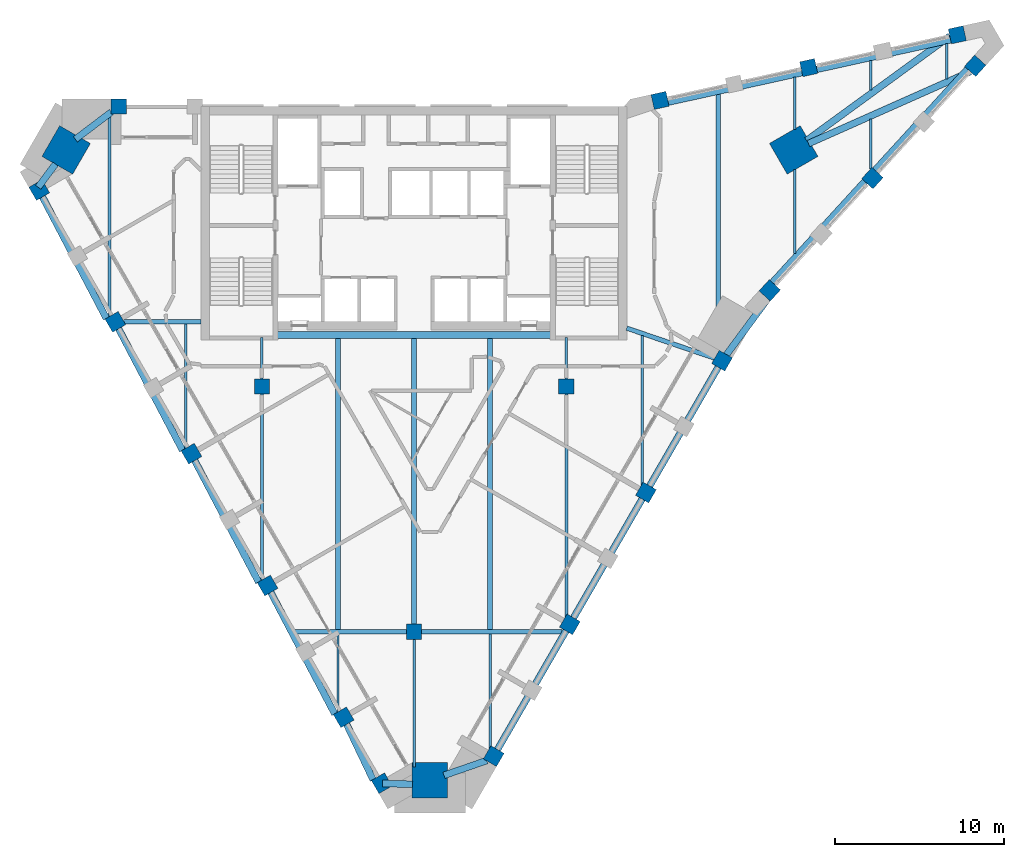
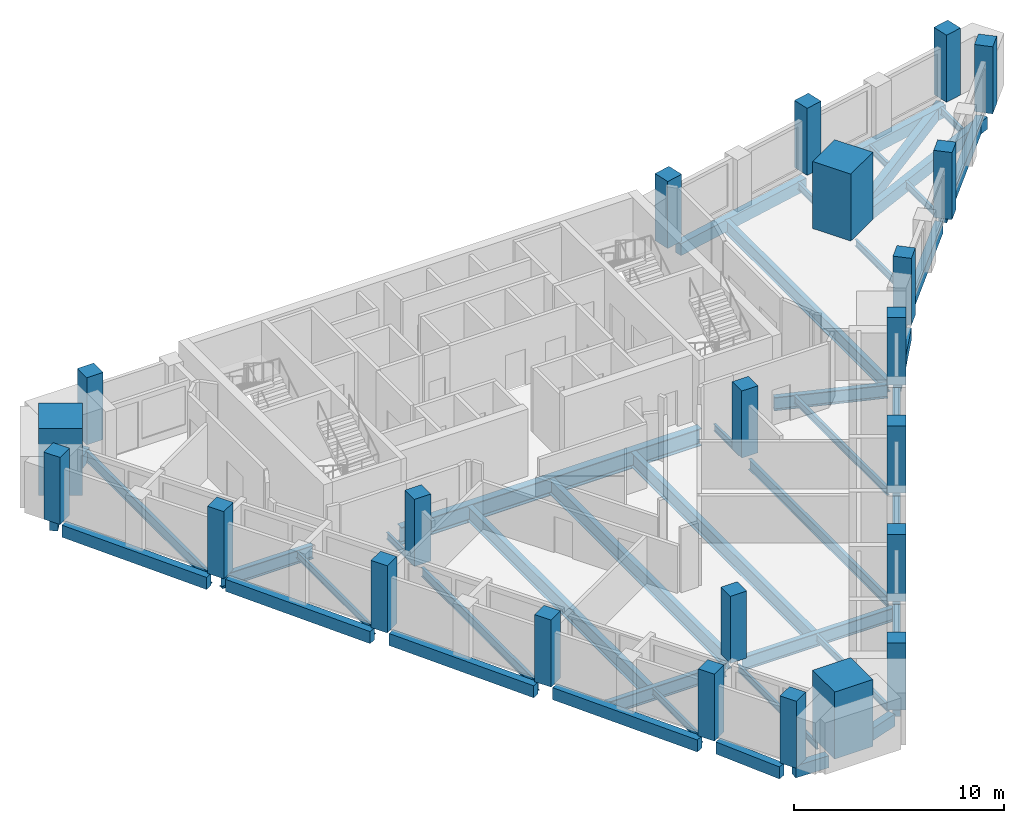
# One storey, part 1 of 9: 43 beams, 23 columns.
"""IFC4 building model written with IfcOpenShell, lengths in metres."""

from ifc_helpers import new_model, si_unit, direction, frame, origin, origin_2d, place, context, subcontext, project, spatial, rectangle, i_section, extrude, material, material_profile, profile_set, type_object, element, save


model = new_model("IFC4")

# Units and contexts
model_context = context("Model", 3, precision=1e-05, world=origin(), true_north=direction((0.0, 1.0)))
body_context = subcontext(model_context, "Body", "Model", "MODEL_VIEW")
ifc_project = project(units=[si_unit("LENGTHUNIT", "METRE"), si_unit("AREAUNIT", "SQUARE_METRE"), si_unit("VOLUMEUNIT", "CUBIC_METRE"), si_unit("PLANEANGLEUNIT", "RADIAN"), si_unit("MASSUNIT", "GRAM", prefix="KILO")], contexts=[model_context])

# Site, building, storey
site_placement = place(None, origin())
site = spatial("IfcSite", under=ifc_project, at=site_placement, CompositionType="ELEMENT")
building_placement = place(site_placement, origin())
building = spatial("IfcBuilding", under=site, at=building_placement, Name="Calabash Gate Tower", CompositionType="ELEMENT")
storey_placement = place(building_placement, frame((0.0, 0.0, 287.199951171875)))
storey = spatial("IfcBuildingStorey", under=building, at=storey_placement, Name="L69", CompositionType="ELEMENT", Elevation=287.199951171875)

# Columns
ifc_material_1 = material(Name="Concrete C60/75", Category="concrete")
ifc_material_profile_1 = material_profile(ifc_material_1, rectangle(XDim=0.89990234375, YDim=0.89990234375, at=origin_2d()))
ifc_profile_set_1 = profile_set([ifc_material_profile_1], Name="Concrete C60/75")
column_type_1 = type_object("IfcColumnType", Name="Interior column RC 900x900 Concrete C60/75", PredefinedType="COLUMN", material=ifc_profile_set_1)
for number, where, z_axis, x_axis, name in (
    (1, (-9.0, 2.5, 0.0), (0.0, 0.0, 1.0), (1.0, 0.0, 0.0), "Interior column L69 I0"),
    (2, (9.0, 2.5, 0.0), (0.0, 0.0, 1.0), (1.0, 0.0, 0.0), "Interior column L69 I1"),
    (3, (0.0, -12.0, 0.0), (0.0, 0.0, 1.0), (1.0, 0.0, 0.0), "Interior column L69 I2"),
):
    element("IfcColumn", number, at=place(storey_placement, frame(where, z_axis=z_axis, x_axis=x_axis)), inside=storey, type_object=column_type_1, Name=name, PredefinedType="COLUMN", context=body_context, shape_type="SweptSolid", body=[
        extrude(rectangle(XDim=0.89990234375, YDim=0.89990234375, at=origin_2d()), origin(), (0.0, 0.0, 1.0), 3.900146484375),
    ])
ifc_material_2 = material(Name="Concrete C60/75", Category="concrete")
ifc_material_profile_2 = material_profile(ifc_material_2, rectangle(XDim=2.10009765625, YDim=2.10009765625, at=origin_2d()))
ifc_profile_set_2 = profile_set([ifc_material_profile_2], Name="Concrete C60/75")
column_type_2 = type_object("IfcColumnType", Name="Mega column RC 2100x2100 Concrete C60/75", PredefinedType="COLUMN", material=ifc_profile_set_2)
for number, where, z_axis, x_axis, name in (
    (4, (-20.572998046875, 16.491943359375, 0.0), (0.0, 0.0, 1.0), (0.866025395058, -0.500000015115, 0.0), "Mega column L69 NW"),
    (5, (22.447021484375, 16.491943359375, 0.0), (0.0, 0.0, 1.0), (-0.866025395058, -0.500000015115, 0.0), "Mega column L69 NE"),
    (6, (0.93603515625, -20.76611328125, 0.0), (0.0, 0.0, 1.0), (0.0, 1.0, 0.0), "Mega column L69 S"),
):
    element("IfcColumn", number, at=place(storey_placement, frame(where, z_axis=z_axis, x_axis=x_axis)), inside=storey, type_object=column_type_2, Name=name, PredefinedType="COLUMN", context=body_context, shape_type="SweptSolid", body=[
        extrude(rectangle(XDim=2.10009765625, YDim=2.10009765625, at=origin_2d()), origin(), (0.0, 0.0, 1.0), 3.900146484375),
    ])
ifc_material_3 = material(Name="Concrete C50/60", Category="concrete")
ifc_material_profile_3 = material_profile(ifc_material_3, rectangle(XDim=0.89990234375, YDim=0.89990234375, at=origin_2d()))
ifc_profile_set_3 = profile_set([ifc_material_profile_3], Name="Concrete C50/60")
column_type_3 = type_object("IfcColumnType", Name="Perimeter column RC 900x900 Concrete C50/60", PredefinedType="COLUMN", material=ifc_profile_set_3)
for number, where, z_axis, x_axis, name in (
    (7, (-22.162109375, 14.1201171875, 0.0), (0.0, 0.0, 1.0), (0.500000015115, -0.866025395058, 0.0), "Perimeter column L69 P20"),
    (8, (-17.662109375, 6.325927734375, 0.0), (0.0, 0.0, 1.0), (0.500000015115, -0.866025395058, 0.0), "Perimeter column L69 P00"),
    (9, (-13.162109375, -1.468017578125, 0.0), (0.0, 0.0, 1.0), (0.500000015115, -0.866025395058, 0.0), "Perimeter column L69 P01"),
    (10, (-8.662109375, -9.262939453125, 0.0), (0.0, 0.0, 1.0), (0.500000015115, -0.866025395058, 0.0), "Perimeter column L69 P02"),
    (11, (-4.162109375, -17.056884765625, 0.0), (0.0, 0.0, 1.0), (0.500000015115, -0.866025395058, 0.0), "Perimeter column L69 P03"),
    (12, (-1.912109375, -20.9541015625, 0.0), (0.0, 0.0, 1.0), (0.500000015115, -0.866025395058, 0.0), "Perimeter column L69 P25"),
    (13, (4.7080078125, -19.35302734375, 0.0), (0.0, 0.0, 1.0), (0.499999984885, 0.866025412511, 0.0), "Perimeter column L69 P08"),
    (14, (9.2080078125, -11.55908203125, 0.0), (0.0, 0.0, 1.0), (0.499999984885, 0.866025412511, 0.0), "Perimeter column L69 P09"),
    (15, (13.7080078125, -3.762939453125, 0.0), (0.0, 0.0, 1.0), (0.499999984885, 0.866025412511, 0.0), "Perimeter column L69 P10"),
    (16, (18.2080078125, 4.030029296875, 0.0), (0.0, 0.0, 1.0), (0.499999984885, 0.866025412511, 0.0), "Perimeter column L69 P11"),
    (17, (21.031005859375, 8.18701171875, 0.0), (0.0, 0.0, 1.0), (0.67485604152, 0.737949404244, 0.0), "Perimeter column L69 P12"),
    (18, (27.10400390625, 14.825927734375, 0.0), (0.0, 0.0, 1.0), (0.67485604152, 0.737949404244, 0.0), "Perimeter column L69 P36"),
    (19, (33.177978515625, 21.468017578125, 0.0), (0.0, 0.0, 1.0), (0.67485604152, 0.737949404244, 0.0), "Perimeter column L69 P37"),
    (20, (32.12109375, 23.298095703125, 0.0), (0.0, 0.0, 1.0), (-0.976510951543, -0.215467773731, 0.0), "Perimeter column L69 P38"),
    (21, (23.3330078125, 21.35888671875, 0.0), (0.0, 0.0, 1.0), (-0.976510951543, -0.215467773731, 0.0), "Perimeter column L69 P39"),
    (22, (14.5439453125, 19.4189453125, 0.0), (0.0, 0.0, 1.0), (-0.976510951543, -0.215467773731, 0.0), "Perimeter column L69 P40"),
    (23, (-17.466064453125, 19.052978515625, 0.0), (0.0, 0.0, 1.0), (-1.0, 0.0, 0.0), "Perimeter column L69 P31"),
):
    element("IfcColumn", number, at=place(storey_placement, frame(where, z_axis=z_axis, x_axis=x_axis)), inside=storey, type_object=column_type_3, Name=name, PredefinedType="COLUMN", context=body_context, shape_type="SweptSolid", body=[
        extrude(rectangle(XDim=0.89990234375, YDim=0.89990234375, at=origin_2d()), origin(), (0.0, 0.0, 1.0), 3.900146484375),
    ])

# Beams
ifc_material_4 = material(Name="Concrete C50/60", Category="concrete")
ifc_material_profile_4 = material_profile(ifc_material_4, rectangle(XDim=0.39990234375, YDim=0.699951171875, at=origin_2d()))
ifc_profile_set_4 = profile_set([ifc_material_profile_4], Name="Concrete C50/60")
beam_type_1 = type_object("IfcBeamType", Name="Edge beam RC 400x700 Concrete C50/60", PredefinedType="BEAM", material=ifc_profile_set_4)
beam_1_placement = place(storey_placement, frame((-12.97998046875, -1.85693359375, -0.52001953125), z_axis=(0.465462476969, -0.885067614668, 0.0), x_axis=(0.885067614668, 0.465462476969, 0.0)))
element("IfcBeam", 24, at=beam_1_placement, inside=storey, type_object=beam_type_1, Name="Edge beam L69 1", PredefinedType="BEAM", context=body_context, shape_type="SweptSolid", body=[
    extrude(rectangle(XDim=0.39990234375, YDim=0.699951171875, at=origin_2d()), origin(), (0.0, 0.0, 1.0), 8.15087890625),
])
beam_2_placement = place(storey_placement, frame((-8.47998046875, -9.652099609375, -0.52001953125), z_axis=(0.465622937093, -0.884983209136, 0.0), x_axis=(0.884983209136, 0.465622937093, 0.0)))
element("IfcBeam", 25, at=beam_2_placement, inside=storey, type_object=beam_type_1, Name="Edge beam L69 2", PredefinedType="BEAM", context=body_context, shape_type="SweptSolid", body=[
    extrude(rectangle(XDim=0.39990234375, YDim=0.699951171875, at=origin_2d()), origin(), (0.0, 0.0, 1.0), 8.148193359375),
])
beam_3_placement = place(storey_placement, frame((-3.9990234375, -17.443115234375, -0.52001953125), z_axis=(0.430191259431, -0.902737769404, 0.0), x_axis=(0.902737769404, 0.430191259431, 0.0)))
element("IfcBeam", 26, at=beam_3_placement, inside=storey, type_object=beam_type_1, Name="Edge beam L69 3", PredefinedType="BEAM", context=body_context, shape_type="SweptSolid", body=[
    extrude(rectangle(XDim=0.39990234375, YDim=0.699951171875, at=origin_2d()), origin(), (0.0, 0.0, 1.0), 3.677490234375),
])
beam_4_placement = place(storey_placement, frame((-1.868896484375, -20.966064453125, -0.52001953125), z_axis=(0.999576333146, -0.029105913733, 0.0), x_axis=(0.029105913733, 0.999576333146, 0.0)))
element("IfcBeam", 27, at=beam_4_placement, inside=storey, type_object=beam_type_1, Name="Edge beam L69 4", PredefinedType="BEAM", context=body_context, shape_type="SweptSolid", body=[
    extrude(rectangle(XDim=0.39990234375, YDim=0.699951171875, at=origin_2d()), origin(), (0.0, 0.0, 1.0), 1.78662109375),
])
beam_5_placement = place(storey_placement, frame((1.76708984375, -20.489013671875, -0.52001953125), z_axis=(0.944963304699, 0.327176332844, 0.0), x_axis=(-0.327176332844, 0.944963304699, 0.0)))
element("IfcBeam", 28, at=beam_5_placement, inside=storey, type_object=beam_type_1, Name="Edge beam L69 5", PredefinedType="BEAM", context=body_context, shape_type="SweptSolid", body=[
    extrude(rectangle(XDim=0.39990234375, YDim=0.699951171875, at=origin_2d()), origin(), (0.0, 0.0, 1.0), 2.677490234375),
])
beam_6_placement = place(storey_placement, frame((4.8369140625, -19.1298828125, -0.52001953125), z_axis=(0.500024390412, 0.866011321516, 0.0), x_axis=(-0.866011321516, 0.500024390412, 0.0)))
element("IfcBeam", 29, at=beam_6_placement, inside=storey, type_object=beam_type_1, Name="Edge beam L69 6", PredefinedType="BEAM", context=body_context, shape_type="SweptSolid", body=[
    extrude(rectangle(XDim=0.39990234375, YDim=0.699951171875, at=origin_2d()), origin(), (0.0, 0.0, 1.0), 8.3056640625),
])
beam_7_placement = place(storey_placement, frame((9.3369140625, -11.3359375, -0.52001953125), z_axis=(0.499973480863, 0.866040714074, 0.0), x_axis=(-0.866040714074, 0.499973480863, 0.0)))
element("IfcBeam", 30, at=beam_7_placement, inside=storey, type_object=beam_type_1, Name="Edge beam L69 7", PredefinedType="BEAM", context=body_context, shape_type="SweptSolid", body=[
    extrude(rectangle(XDim=0.39990234375, YDim=0.699951171875, at=origin_2d()), origin(), (0.0, 0.0, 1.0), 8.306640625),
])
beam_8_placement = place(storey_placement, frame((13.8369140625, -3.541015625, -0.52001953125), z_axis=(0.500011662214, 0.866018670497, 0.0), x_axis=(-0.866018670497, 0.500011662214, 0.0)))
element("IfcBeam", 31, at=beam_8_placement, inside=storey, type_object=beam_type_1, Name="Edge beam L69 8", PredefinedType="BEAM", context=body_context, shape_type="SweptSolid", body=[
    extrude(rectangle(XDim=0.39990234375, YDim=0.699951171875, at=origin_2d()), origin(), (0.0, 0.0, 1.0), 8.305908203125),
])
beam_9_placement = place(storey_placement, frame((18.364013671875, 4.239013671875, -0.52001953125), z_axis=(0.594201802394, 0.804315993893, 0.0), x_axis=(-0.804315993893, 0.594201802394, 0.0)))
element("IfcBeam", 32, at=beam_9_placement, inside=storey, type_object=beam_type_1, Name="Edge beam L69 9", PredefinedType="BEAM", context=body_context, shape_type="SweptSolid", body=[
    extrude(rectangle(XDim=0.39990234375, YDim=0.699951171875, at=origin_2d()), origin(), (0.0, 0.0, 1.0), 4.316650390625),
])
beam_10_placement = place(storey_placement, frame((21.18701171875, 8.652099609375, -0.52001953125), z_axis=(0.674873802315, 0.737933161573, 0.0), x_axis=(-0.737933161573, 0.674873802315, 0.0)))
element("IfcBeam", 33, at=beam_10_placement, inside=storey, type_object=beam_type_1, Name="Edge beam L69 10", PredefinedType="BEAM", context=body_context, shape_type="SweptSolid", body=[
    extrude(rectangle(XDim=0.39990234375, YDim=0.699951171875, at=origin_2d()), origin(), (0.0, 0.0, 1.0), 8.099365234375),
])
beam_11_placement = place(storey_placement, frame((27.260009765625, 15.29296875, -0.52001953125), z_axis=(0.67486440312, 0.737941757459, 0.0), x_axis=(-0.737941757459, 0.67486440312, 0.0)))
element("IfcBeam", 34, at=beam_11_placement, inside=storey, type_object=beam_type_1, Name="Edge beam L69 11", PredefinedType="BEAM", context=body_context, shape_type="SweptSolid", body=[
    extrude(rectangle(XDim=0.39990234375, YDim=0.699951171875, at=origin_2d()), origin(), (0.0, 0.0, 1.0), 8.100830078125),
])
beam_12_placement = place(storey_placement, frame((32.90087890625, 21.1259765625, -0.52001953125), z_axis=(-0.913795229391, -0.406175182332, 0.0), x_axis=(0.406175182332, -0.913795229391, 0.0)))
element("IfcBeam", 35, at=beam_12_placement, inside=storey, type_object=beam_type_1, Name="Edge beam L69 12", PredefinedType="BEAM", context=body_context, shape_type="SweptSolid", body=[
    extrude(rectangle(XDim=0.39990234375, YDim=0.699951171875, at=origin_2d()), origin(), (0.0, 0.0, 1.0), 10.488037109375),
])
beam_13_placement = place(storey_placement, frame((23.2099609375, 17.049072265625, -0.52001953125), z_axis=(0.808064306111, 0.589094285484, 0.0), x_axis=(-0.589094285484, 0.808064306111, 0.0)))
element("IfcBeam", 36, at=beam_13_placement, inside=storey, type_object=beam_type_1, Name="Edge beam L69 13", PredefinedType="BEAM", context=body_context, shape_type="SweptSolid", body=[
    extrude(rectangle(XDim=0.39990234375, YDim=0.699951171875, at=origin_2d()), origin(), (0.0, 0.0, 1.0), 10.490478515625),
])
beam_14_placement = place(storey_placement, frame((31.72705078125, 23.006103515625, -0.52001953125), z_axis=(-0.976492437334, -0.215551663945, 0.0), x_axis=(0.215551663945, -0.976492437334, 0.0)))
element("IfcBeam", 37, at=beam_14_placement, inside=storey, type_object=beam_type_1, Name="Edge beam L69 14", PredefinedType="BEAM", context=body_context, shape_type="SweptSolid", body=[
    extrude(rectangle(XDim=0.39990234375, YDim=0.699951171875, at=origin_2d()), origin(), (0.0, 0.0, 1.0), 8.1005859375),
])
beam_15_placement = place(storey_placement, frame((22.93603515625, 21.06591796875, -0.52001953125), z_axis=(-0.976517152373, -0.215439669332, 0.0), x_axis=(0.215439669332, -0.976517152373, 0.0)))
element("IfcBeam", 38, at=beam_15_placement, inside=storey, type_object=beam_type_1, Name="Edge beam L69 15", PredefinedType="BEAM", context=body_context, shape_type="SweptSolid", body=[
    extrude(rectangle(XDim=0.39990234375, YDim=0.699951171875, at=origin_2d()), origin(), (0.0, 0.0, 1.0), 8.09912109375),
])
beam_16_placement = place(storey_placement, frame((-17.89208984375, 18.737060546875, -0.52001953125), z_axis=(-0.797179894288, -0.603741845611, 0.0), x_axis=(0.603741845611, -0.797179894288, 0.0)))
element("IfcBeam", 39, at=beam_16_placement, inside=storey, type_object=beam_type_1, Name="Edge beam L69 16", PredefinedType="BEAM", context=body_context, shape_type="SweptSolid", body=[
    extrude(rectangle(XDim=0.39990234375, YDim=0.699951171875, at=origin_2d()), origin(), (0.0, 0.0, 1.0), 2.67822265625),
])
beam_17_placement = place(storey_placement, frame((-21.202880859375, 15.6630859375, -0.52001953125), z_axis=(-0.59582917679, -0.803111195344, 0.0), x_axis=(0.803111195344, -0.59582917679, 0.0)))
element("IfcBeam", 40, at=beam_17_placement, inside=storey, type_object=beam_type_1, Name="Edge beam L69 17", PredefinedType="BEAM", context=body_context, shape_type="SweptSolid", body=[
    extrude(rectangle(XDim=0.39990234375, YDim=0.699951171875, at=origin_2d()), origin(), (0.0, 0.0, 1.0), 1.71728515625),
])
beam_18_placement = place(storey_placement, frame((-21.97998046875, 13.73095703125, -0.52001953125), z_axis=(0.465474816672, -0.885061125033, 0.0), x_axis=(0.885061125033, 0.465474816672, 0.0)))
element("IfcBeam", 41, at=beam_18_placement, inside=storey, type_object=beam_type_1, Name="Edge beam L69 18", PredefinedType="BEAM", context=body_context, shape_type="SweptSolid", body=[
    extrude(rectangle(XDim=0.39990234375, YDim=0.699951171875, at=origin_2d()), origin(), (0.0, 0.0, 1.0), 8.150634765625),
])
beam_19_placement = place(storey_placement, frame((-17.47998046875, 5.93701171875, -0.52001953125), z_axis=(0.465462476969, -0.885067614668, 0.0), x_axis=(0.885067614668, 0.465462476969, 0.0)))
element("IfcBeam", 42, at=beam_19_placement, inside=storey, type_object=beam_type_1, Name="Edge beam L69 19", PredefinedType="BEAM", context=body_context, shape_type="SweptSolid", body=[
    extrude(rectangle(XDim=0.39990234375, YDim=0.699951171875, at=origin_2d()), origin(), (0.0, 0.0, 1.0), 8.15087890625),
])
ifc_material_5 = material(Name="Steel ASTM A992 Gr50", Category="steel")
ifc_material_profile_5 = material_profile(ifc_material_5, i_section(OverallWidth=0.1396484375, OverallDepth=0.398681640625, WebThickness=0.00634765625, FlangeThickness=0.0087890625, FilletRadius=0.01025390625, at=origin_2d()))
ifc_profile_set_5 = profile_set([ifc_material_profile_5], Name="Steel ASTM A992 Gr50")
beam_type_2 = type_object("IfcBeamType", Name="Floor beam W16x26 ASTM A992 Gr50", PredefinedType="BEAM", material=ifc_profile_set_5)
beam_20_placement = place(storey_placement, frame((-13.5, -1.173095703125, -0.368896484375), z_axis=(0.0, 1.0, 0.0), x_axis=(-1.0, 0.0, 0.0)))
element("IfcBeam", 43, at=beam_20_placement, inside=storey, type_object=beam_type_2, Name="Floor beam L69 2", PredefinedType="BEAM", context=body_context, shape_type="SweptSolid", body=[
    extrude(i_section(OverallWidth=0.1396484375, OverallDepth=0.398681640625, WebThickness=0.00634765625, FlangeThickness=0.0087890625, FilletRadius=0.01025390625, at=origin_2d()), origin(), (0.0, 0.0, 1.0), 7.364990234375),
])
beam_21_placement = place(storey_placement, frame((-9.0, 2.949951171875, -0.368896484375), z_axis=(0.0, 1.0, 0.0), x_axis=(-1.0, 0.0, 0.0)))
element("IfcBeam", 44, at=beam_21_placement, inside=storey, type_object=beam_type_2, Name="Floor beam L69 4", PredefinedType="BEAM", context=body_context, shape_type="SweptSolid", body=[
    extrude(i_section(OverallWidth=0.1396484375, OverallDepth=0.398681640625, WebThickness=0.00634765625, FlangeThickness=0.0087890625, FilletRadius=0.01025390625, at=origin_2d()), origin(), (0.0, 0.0, 1.0), 2.453125),
])
beam_22_placement = place(storey_placement, frame((-4.5, -16.762939453125, -0.368896484375), z_axis=(0.0, 1.0, 0.0), x_axis=(-1.0, 0.0, 0.0)))
element("IfcBeam", 45, at=beam_22_placement, inside=storey, type_object=beam_type_2, Name="Floor beam L69 5", PredefinedType="BEAM", context=body_context, shape_type="SweptSolid", body=[
    extrude(i_section(OverallWidth=0.1396484375, OverallDepth=0.398681640625, WebThickness=0.00634765625, FlangeThickness=0.0087890625, FilletRadius=0.01025390625, at=origin_2d()), origin(), (0.0, 0.0, 1.0), 4.6298828125),
])
beam_23_placement = place(storey_placement, frame((0.0, -20.008056640625, -0.368896484375), z_axis=(0.0, 1.0, 0.0), x_axis=(-1.0, 0.0, 0.0)))
element("IfcBeam", 46, at=beam_23_placement, inside=storey, type_object=beam_type_2, Name="Floor beam L69 7", PredefinedType="BEAM", context=body_context, shape_type="SweptSolid", body=[
    extrude(i_section(OverallWidth=0.1396484375, OverallDepth=0.398681640625, WebThickness=0.00634765625, FlangeThickness=0.0087890625, FilletRadius=0.01025390625, at=origin_2d()), origin(), (0.0, 0.0, 1.0), 7.55810546875),
])
beam_24_placement = place(storey_placement, frame((4.5, -18.93310546875, -0.368896484375), z_axis=(0.0, 1.0, 0.0), x_axis=(-1.0, 0.0, 0.0)))
element("IfcBeam", 47, at=beam_24_placement, inside=storey, type_object=beam_type_2, Name="Floor beam L69 9", PredefinedType="BEAM", context=body_context, shape_type="SweptSolid", body=[
    extrude(i_section(OverallWidth=0.1396484375, OverallDepth=0.398681640625, WebThickness=0.00634765625, FlangeThickness=0.0087890625, FilletRadius=0.01025390625, at=origin_2d()), origin(), (0.0, 0.0, 1.0), 6.800048828125),
])
beam_25_placement = place(storey_placement, frame((9.0, 2.949951171875, -0.368896484375), z_axis=(0.0, 1.0, 0.0), x_axis=(-1.0, 0.0, 0.0)))
element("IfcBeam", 48, at=beam_25_placement, inside=storey, type_object=beam_type_2, Name="Floor beam L69 12", PredefinedType="BEAM", context=body_context, shape_type="SweptSolid", body=[
    extrude(i_section(OverallWidth=0.1396484375, OverallDepth=0.398681640625, WebThickness=0.00634765625, FlangeThickness=0.0087890625, FilletRadius=0.01025390625, at=origin_2d()), origin(), (0.0, 0.0, 1.0), 2.453125),
])
beam_26_placement = place(storey_placement, frame((22.5, 10.3720703125, -0.368896484375), z_axis=(0.0, 1.0, 0.0), x_axis=(-1.0, 0.0, 0.0)))
element("IfcBeam", 49, at=beam_26_placement, inside=storey, type_object=beam_type_2, Name="Floor beam L69 15", PredefinedType="BEAM", context=body_context, shape_type="SweptSolid", body=[
    extrude(i_section(OverallWidth=0.1396484375, OverallDepth=0.398681640625, WebThickness=0.00634765625, FlangeThickness=0.0087890625, FilletRadius=0.01025390625, at=origin_2d()), origin(), (0.0, 0.0, 1.0), 4.9619140625),
])
beam_27_placement = place(storey_placement, frame((22.5, 17.7119140625, -0.368896484375), z_axis=(0.0, 1.0, 0.0), x_axis=(-1.0, 0.0, 0.0)))
element("IfcBeam", 50, at=beam_27_placement, inside=storey, type_object=beam_type_2, Name="Floor beam L69 16", PredefinedType="BEAM", context=body_context, shape_type="SweptSolid", body=[
    extrude(i_section(OverallWidth=0.1396484375, OverallDepth=0.398681640625, WebThickness=0.00634765625, FlangeThickness=0.0087890625, FilletRadius=0.01025390625, at=origin_2d()), origin(), (0.0, 0.0, 1.0), 3.085205078125),
])
beam_28_placement = place(storey_placement, frame((27.0, 15.35693359375, -0.368896484375), z_axis=(0.0, 1.0, 0.0), x_axis=(-1.0, 0.0, 0.0)))
element("IfcBeam", 51, at=beam_28_placement, inside=storey, type_object=beam_type_2, Name="Floor beam L69 17", PredefinedType="BEAM", context=body_context, shape_type="SweptSolid", body=[
    extrude(i_section(OverallWidth=0.1396484375, OverallDepth=0.398681640625, WebThickness=0.00634765625, FlangeThickness=0.0087890625, FilletRadius=0.01025390625, at=origin_2d()), origin(), (0.0, 0.0, 1.0), 2.949951171875),
])
beam_29_placement = place(storey_placement, frame((27.0, 20.048095703125, -0.368896484375), z_axis=(0.0, 1.0, 0.0), x_axis=(-1.0, 0.0, 0.0)))
element("IfcBeam", 52, at=beam_29_placement, inside=storey, type_object=beam_type_2, Name="Floor beam L69 18", PredefinedType="BEAM", context=body_context, shape_type="SweptSolid", body=[
    extrude(i_section(OverallWidth=0.1396484375, OverallDepth=0.398681640625, WebThickness=0.00634765625, FlangeThickness=0.0087890625, FilletRadius=0.01025390625, at=origin_2d()), origin(), (0.0, 0.0, 1.0), 1.741943359375),
])
beam_30_placement = place(storey_placement, frame((31.5, 20.699951171875, -0.368896484375), z_axis=(0.0, 1.0, 0.0), x_axis=(-1.0, 0.0, 0.0)))
element("IfcBeam", 53, at=beam_30_placement, inside=storey, type_object=beam_type_2, Name="Floor beam L69 19", PredefinedType="BEAM", context=body_context, shape_type="SweptSolid", body=[
    extrude(i_section(OverallWidth=0.1396484375, OverallDepth=0.398681640625, WebThickness=0.00634765625, FlangeThickness=0.0087890625, FilletRadius=0.01025390625, at=origin_2d()), origin(), (0.0, 0.0, 1.0), 2.0830078125),
])
ifc_material_6 = material(Name="Steel ASTM A992 Gr50", Category="steel")
ifc_material_profile_6 = material_profile(ifc_material_6, i_section(OverallWidth=0.15234375, OverallDepth=0.44970703125, WebThickness=0.007568359375, FlangeThickness=0.0107421875, FilletRadius=0.01025390625, at=origin_2d()))
ifc_profile_set_6 = profile_set([ifc_material_profile_6], Name="Steel ASTM A992 Gr50")
beam_type_3 = type_object("IfcBeamType", Name="Floor beam W18x35 ASTM A992 Gr50", PredefinedType="BEAM", material=ifc_profile_set_6)
beam_31_placement = place(storey_placement, frame((13.5, -3.346923828125, -0.39306640625), z_axis=(0.0, 1.0, 0.0), x_axis=(-1.0, 0.0, 0.0)))
element("IfcBeam", 54, at=beam_31_placement, inside=storey, type_object=beam_type_3, Name="Floor beam L69 13", PredefinedType="BEAM", context=body_context, shape_type="SweptSolid", body=[
    extrude(i_section(OverallWidth=0.15234375, OverallDepth=0.44970703125, WebThickness=0.007568359375, FlangeThickness=0.0107421875, FilletRadius=0.01025390625, at=origin_2d()), origin(), (0.0, 0.0, 1.0), 8.8779296875),
])
ifc_material_7 = material(Name="Steel ASTM A992 Gr50", Category="steel")
ifc_material_profile_7 = material_profile(ifc_material_7, i_section(OverallWidth=0.166015625, OverallDepth=0.5283203125, WebThickness=0.009765625, FlangeThickness=0.013671875, FilletRadius=0.0126953125, at=origin_2d()))
ifc_profile_set_7 = profile_set([ifc_material_profile_7], Name="Steel ASTM A992 Gr50")
beam_type_4 = type_object("IfcBeamType", Name="Floor beam W21x50 ASTM A992 Gr50", PredefinedType="BEAM", material=ifc_profile_set_7)
beam_32_placement = place(storey_placement, frame((-9.0, -8.968994140625, -0.433837890625), z_axis=(0.0, 1.0, 0.0), x_axis=(-1.0, 0.0, 0.0)))
element("IfcBeam", 55, at=beam_32_placement, inside=storey, type_object=beam_type_4, Name="Floor beam L69 3", PredefinedType="BEAM", context=body_context, shape_type="SweptSolid", body=[
    extrude(i_section(OverallWidth=0.166015625, OverallDepth=0.5283203125, WebThickness=0.009765625, FlangeThickness=0.013671875, FilletRadius=0.0126953125, at=origin_2d()), origin(), (0.0, 0.0, 1.0), 11.01904296875),
])
ifc_material_8 = material(Name="Steel ASTM A992 Gr50", Category="steel")
ifc_material_profile_8 = material_profile(ifc_material_8, i_section(OverallWidth=0.1787109375, OverallDepth=0.60205078125, WebThickness=0.010986328125, FlangeThickness=0.014892578125, FilletRadius=0.0126953125, at=origin_2d()))
ifc_profile_set_8 = profile_set([ifc_material_profile_8], Name="Steel ASTM A992 Gr50")
beam_type_5 = type_object("IfcBeamType", Name="Floor beam W24x62 ASTM A992 Gr50", PredefinedType="BEAM", material=ifc_profile_set_8)
beam_33_placement = place(storey_placement, frame((-18.0, 6.6201171875, -0.470947265625), z_axis=(0.0, 1.0, 0.0), x_axis=(-1.0, 0.0, 0.0)))
element("IfcBeam", 56, at=beam_33_placement, inside=storey, type_object=beam_type_5, Name="Floor beam L69 1", PredefinedType="BEAM", context=body_context, shape_type="SweptSolid", body=[
    extrude(i_section(OverallWidth=0.1787109375, OverallDepth=0.60205078125, WebThickness=0.010986328125, FlangeThickness=0.014892578125, FilletRadius=0.0126953125, at=origin_2d()), origin(), (0.0, 0.0, 1.0), 11.81591796875),
])
beam_34_placement = place(storey_placement, frame((9.0, -11.14111328125, -0.470947265625), z_axis=(0.0, 1.0, 0.0), x_axis=(-1.0, 0.0, 0.0)))
element("IfcBeam", 57, at=beam_34_placement, inside=storey, type_object=beam_type_5, Name="Floor beam L69 11", PredefinedType="BEAM", context=body_context, shape_type="SweptSolid", body=[
    extrude(i_section(OverallWidth=0.1787109375, OverallDepth=0.60205078125, WebThickness=0.010986328125, FlangeThickness=0.014892578125, FilletRadius=0.0126953125, at=origin_2d()), origin(), (0.0, 0.0, 1.0), 13.191162109375),
])
ifc_material_9 = material(Name="Steel ASTM A992 Gr50", Category="steel")
ifc_material_profile_9 = material_profile(ifc_material_9, i_section(OverallWidth=0.2666015625, OverallDepth=0.7568359375, WebThickness=0.013916015625, FlangeThickness=0.019287109375, FilletRadius=0.0166015625, at=origin_2d()))
ifc_profile_set_9 = profile_set([ifc_material_profile_9], Name="Steel ASTM A992 Gr50")
beam_type_6 = type_object("IfcBeamType", Name="Floor beam W30x108 ASTM A992 Gr50", PredefinedType="BEAM", material=ifc_profile_set_9)
beam_35_placement = place(storey_placement, frame((18.0, 4.447021484375, -0.5478515625), z_axis=(0.0, 1.0, 0.0), x_axis=(-1.0, 0.0, 0.0)))
element("IfcBeam", 58, at=beam_35_placement, inside=storey, type_object=beam_type_6, Name="Floor beam L69 14", PredefinedType="BEAM", context=body_context, shape_type="SweptSolid", body=[
    extrude(i_section(OverallWidth=0.2666015625, OverallDepth=0.7568359375, WebThickness=0.013916015625, FlangeThickness=0.019287109375, FilletRadius=0.0166015625, at=origin_2d()), origin(), (0.0, 0.0, 1.0), 15.35693359375),
])
ifc_material_10 = material(Name="Steel ASTM A992 Gr50", Category="steel")
ifc_material_profile_10 = material_profile(ifc_material_10, i_section(OverallWidth=0.2919921875, OverallDepth=0.845703125, WebThickness=0.015380859375, FlangeThickness=0.0244140625, FilletRadius=0.017822265625, at=origin_2d()))
ifc_profile_set_10 = profile_set([ifc_material_profile_10], Name="Steel ASTM A992 Gr50")
beam_type_7 = type_object("IfcBeamType", Name="Floor beam W33x141 ASTM A992 Gr50", PredefinedType="BEAM", material=ifc_profile_set_10)
beam_36_placement = place(storey_placement, frame((-4.5, -11.866943359375, -0.593017578125), z_axis=(0.0, 1.0, 0.0), x_axis=(-1.0, 0.0, 0.0)))
element("IfcBeam", 59, at=beam_36_placement, inside=storey, type_object=beam_type_7, Name="Floor beam L69 6", PredefinedType="BEAM", context=body_context, shape_type="SweptSolid", body=[
    extrude(i_section(OverallWidth=0.2919921875, OverallDepth=0.845703125, WebThickness=0.015380859375, FlangeThickness=0.0244140625, FilletRadius=0.017822265625, at=origin_2d()), origin(), (0.0, 0.0, 1.0), 17.218994140625),
])
beam_37_placement = place(storey_placement, frame((0.0, -11.550048828125, -0.593017578125), z_axis=(0.0, 1.0, 0.0), x_axis=(-1.0, 0.0, 0.0)))
element("IfcBeam", 60, at=beam_37_placement, inside=storey, type_object=beam_type_7, Name="Floor beam L69 8", PredefinedType="BEAM", context=body_context, shape_type="SweptSolid", body=[
    extrude(i_section(OverallWidth=0.2919921875, OverallDepth=0.845703125, WebThickness=0.015380859375, FlangeThickness=0.0244140625, FilletRadius=0.017822265625, at=origin_2d()), origin(), (0.0, 0.0, 1.0), 16.902099609375),
])
beam_38_placement = place(storey_placement, frame((4.5, -11.866943359375, -0.593017578125), z_axis=(0.0, 1.0, 0.0), x_axis=(-1.0, 0.0, 0.0)))
element("IfcBeam", 61, at=beam_38_placement, inside=storey, type_object=beam_type_7, Name="Floor beam L69 10", PredefinedType="BEAM", context=body_context, shape_type="SweptSolid", body=[
    extrude(i_section(OverallWidth=0.2919921875, OverallDepth=0.845703125, WebThickness=0.015380859375, FlangeThickness=0.0244140625, FilletRadius=0.017822265625, at=origin_2d()), origin(), (0.0, 0.0, 1.0), 17.218994140625),
])
ifc_material_11 = material(Name="Steel ASTM A992 Gr50", Category="steel")
ifc_material_profile_11 = material_profile(ifc_material_11, i_section(OverallWidth=0.2666015625, OverallDepth=0.77978515625, WebThickness=0.0166015625, FlangeThickness=0.030029296875, FilletRadius=0.0166015625, at=origin_2d()))
ifc_profile_set_11 = profile_set([ifc_material_profile_11], Name="Steel ASTM A992 Gr50")
beam_type_8 = type_object("IfcBeamType", Name="Girder W30x148 ASTM A992 Gr50", PredefinedType="BEAM", material=ifc_profile_set_11)
beam_39_placement = place(storey_placement, frame((-17.6240234375, 6.325927734375, -0.56005859375), z_axis=(1.0, 0.0, 0.0), x_axis=(0.0, 1.0, 0.0)))
element("IfcBeam", 62, at=beam_39_placement, inside=storey, type_object=beam_type_8, Name="Girder L69 2", PredefinedType="BEAM", context=body_context, shape_type="SweptSolid", body=[
    extrude(i_section(OverallWidth=0.2666015625, OverallDepth=0.77978515625, WebThickness=0.0166015625, FlangeThickness=0.030029296875, FilletRadius=0.0166015625, at=origin_2d()), origin(), (0.0, 0.0, 1.0), 5.02392578125),
])
beam_40_placement = place(storey_placement, frame((17.803955078125, 4.16796875, -0.56005859375), z_axis=(-0.946191727355, 0.323606574539, 0.0), x_axis=(-0.323606574539, -0.946191727355, 0.0)))
element("IfcBeam", 63, at=beam_40_placement, inside=storey, type_object=beam_type_8, Name="Girder L69 3", PredefinedType="BEAM", context=body_context, shape_type="SweptSolid", body=[
    extrude(i_section(OverallWidth=0.2666015625, OverallDepth=0.77978515625, WebThickness=0.0166015625, FlangeThickness=0.030029296875, FilletRadius=0.0166015625, at=origin_2d()), origin(), (0.0, 0.0, 1.0), 5.531494140625),
])
beam_41_placement = place(storey_placement, frame((-7.031982421875, -12.0, -0.56005859375), z_axis=(1.0, 0.0, 0.0), x_axis=(0.0, 1.0, 0.0)))
element("IfcBeam", 64, at=beam_41_placement, inside=storey, type_object=beam_type_8, Name="Girder L69 4", PredefinedType="BEAM", context=body_context, shape_type="SweptSolid", body=[
    extrude(i_section(OverallWidth=0.2666015625, OverallDepth=0.77978515625, WebThickness=0.0166015625, FlangeThickness=0.030029296875, FilletRadius=0.0166015625, at=origin_2d()), origin(), (0.0, 0.0, 1.0), 6.58203125),
])
beam_42_placement = place(storey_placement, frame((0.449951171875, -12.0, -0.56005859375), z_axis=(1.0, 0.0, 0.0), x_axis=(0.0, 1.0, 0.0)))
element("IfcBeam", 65, at=beam_42_placement, inside=storey, type_object=beam_type_8, Name="Girder L69 5", PredefinedType="BEAM", context=body_context, shape_type="SweptSolid", body=[
    extrude(i_section(OverallWidth=0.2666015625, OverallDepth=0.77978515625, WebThickness=0.0166015625, FlangeThickness=0.030029296875, FilletRadius=0.0166015625, at=origin_2d()), origin(), (0.0, 0.0, 1.0), 8.29296875),
])
ifc_material_12 = material(Name="Steel ASTM A992 Gr50", Category="steel")
ifc_material_profile_12 = material_profile(ifc_material_12, i_section(OverallWidth=0.4013671875, OverallDepth=1.000732421875, WebThickness=0.01904296875, FlangeThickness=0.0361328125, FilletRadius=0.030029296875, at=origin_2d()))
ifc_profile_set_12 = profile_set([ifc_material_profile_12], Name="Steel ASTM A992 Gr50")
beam_type_9 = type_object("IfcBeamType", Name="Girder W40x249 ASTM A992 Gr50", PredefinedType="BEAM", material=ifc_profile_set_12)
beam_43_placement = place(storey_placement, frame((-8.25, 5.552978515625, -0.669921875), z_axis=(1.0, 0.0, 0.0), x_axis=(0.0, 1.0, 0.0)))
element("IfcBeam", 66, at=beam_43_placement, inside=storey, type_object=beam_type_9, Name="Girder L69 1", PredefinedType="BEAM", context=body_context, shape_type="SweptSolid", body=[
    extrude(i_section(OverallWidth=0.4013671875, OverallDepth=1.000732421875, WebThickness=0.01904296875, FlangeThickness=0.0361328125, FilletRadius=0.030029296875, at=origin_2d()), origin(), (0.0, 0.0, 1.0), 16.5),
])

save(model, "model.ifc")
